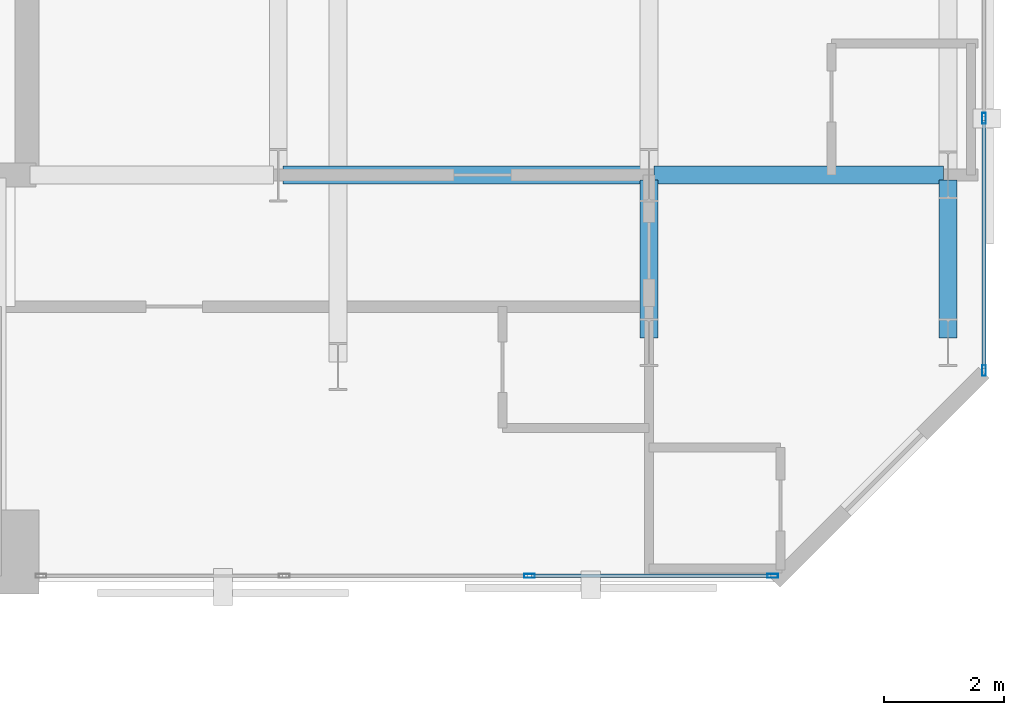
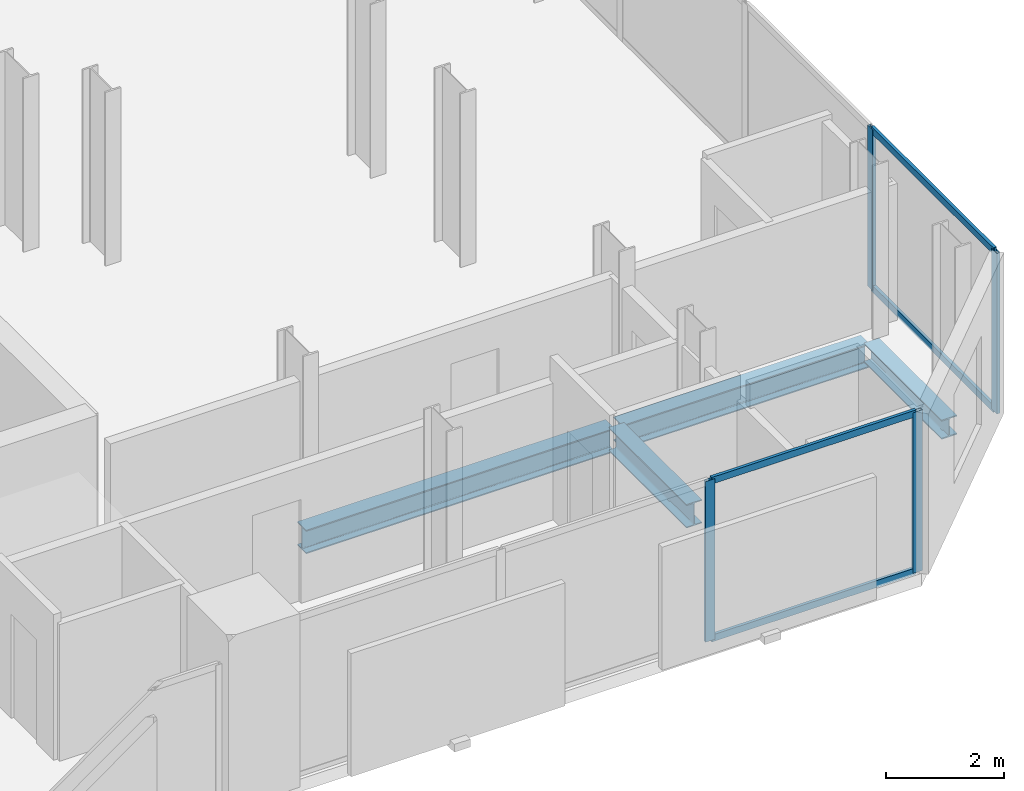
# One storey, part 16 of 32: 8 members, 4 beams, 2 elements without a shape of their own.
"""IFC4 building model written with IfcOpenShell, lengths in metres."""

from ifc_helpers import new_model, si_unit, direction, frame, origin, origin_2d, place, context, subcontext, project, spatial, hollow_rectangle, i_section, extrude, material, layer, layer_set, material_profile, profile_set, type_object, element, aggregate, save


model = new_model("IFC4")

# Units and contexts
model_context = context("Model", 3, precision=1e-05, world=origin(), true_north=direction((0.0, 1.0)))
body_context = subcontext(model_context, "Body", "Model", "MODEL_VIEW")
ifc_project = project(units=[si_unit("LENGTHUNIT", "METRE"), si_unit("AREAUNIT", "SQUARE_METRE"), si_unit("VOLUMEUNIT", "CUBIC_METRE"), si_unit("PLANEANGLEUNIT", "RADIAN"), si_unit("MASSUNIT", "GRAM", prefix="KILO")], contexts=[model_context])

# Site, building, storey
site_placement = place(None, origin())
site = spatial("IfcSite", under=ifc_project, at=site_placement, CompositionType="ELEMENT")
building_placement = place(site_placement, origin())
building = spatial("IfcBuilding", under=site, at=building_placement, Name="Catumbela Crestline Tower", CompositionType="ELEMENT")
storey_placement = place(building_placement, frame((0.0, 0.0, 69.0)))
storey = spatial("IfcBuildingStorey", under=building, at=storey_placement, Name="L17", CompositionType="ELEMENT", Elevation=69.0)

# Beams
ifc_material_1 = material(Name="Structural steel S355J2", Category="steel")
ifc_material_profile_1 = material_profile(ifc_material_1, i_section(OverallWidth=0.3, OverallDepth=0.49, WebThickness=0.012, FlangeThickness=0.023, FilletRadius=0.027, at=origin_2d()), Name="HEA 500")
ifc_profile_set_1 = profile_set([ifc_material_profile_1], Name="Structural steel S355J2")
beam_type_1 = type_object("IfcBeamType", Name="BG-HEA500", PredefinedType="BEAM", material=ifc_profile_set_1)
beam_1_placement = place(storey_placement, frame((44.28, 30.8, -0.505), z_axis=(1.0, 0.0, 0.0), x_axis=(0.0, 1.0, 0.0)))
element("IfcBeam", 1, at=beam_1_placement, inside=storey, type_object=beam_type_1, Name="L17 Beam BM-L17-M11", PredefinedType="BEAM", context=body_context, shape_type="SweptSolid", body=[
    extrude(i_section(OverallWidth=0.3, OverallDepth=0.49, WebThickness=0.012, FlangeThickness=0.023, FilletRadius=0.027, at=origin_2d()), origin(), (0.0, 0.0, 1.0), 6.04),
])
beam_2_placement = place(storey_placement, frame((50.48, 30.8, -0.505), z_axis=(1.0, 0.0, 0.0), x_axis=(0.0, 1.0, 0.0)))
element("IfcBeam", 2, at=beam_2_placement, inside=storey, type_object=beam_type_1, Name="L17 Beam BM-L17-M12", PredefinedType="BEAM", context=body_context, shape_type="SweptSolid", body=[
    extrude(i_section(OverallWidth=0.3, OverallDepth=0.49, WebThickness=0.012, FlangeThickness=0.023, FilletRadius=0.027, at=origin_2d()), origin(), (0.0, 0.0, 1.0), 4.84),
])
beam_3_placement = place(storey_placement, frame((50.4, 28.08, -0.505), z_axis=(0.0, 1.0, 0.0), x_axis=(-1.0, 0.0, 0.0)))
element("IfcBeam", 3, at=beam_3_placement, inside=storey, type_object=beam_type_1, Name="L17 Beam BM-L17-SN37", PredefinedType="BEAM", context=body_context, shape_type="SweptSolid", body=[
    extrude(i_section(OverallWidth=0.3, OverallDepth=0.49, WebThickness=0.012, FlangeThickness=0.023, FilletRadius=0.027, at=origin_2d()), origin(), (0.0, 0.0, 1.0), 2.64),
])

# Curtain wall, members
ifc_material_2 = material(Name="Aluminium alloy AW-6060-T66", Category="aluminium")
ifc_layer = layer(ifc_material_2, 0.18, Name="Aluminium alloy AW-6060-T66")
ifc_layer_set = layer_set([ifc_layer], Name="Aluminium alloy AW-6060-T66")
curtain_wall_type = type_object("IfcCurtainWallType", Name="CWU-Z1", PredefinedType="USERDEFINED", material=ifc_layer_set)
curtain_wall_1_placement = place(storey_placement, origin())
curtain_wall_1 = element("IfcCurtainWall", 4, at=curtain_wall_1_placement, inside=storey, type_object=curtain_wall_type, Name="L17 Unitised Curtain Wall CW-L17-E3S2", ObjectType="UNITISED", PredefinedType="USERDEFINED")
ifc_material_profile_2 = material_profile(ifc_material_2, hollow_rectangle(XDim=0.065, YDim=0.18, WallThickness=0.004, at=origin_2d()), Name="ALU 180x65x4")
ifc_profile_set_2 = profile_set([ifc_material_profile_2], Name="Aluminium alloy AW-6060-T66")
member_type_1 = type_object("IfcMemberType", Name="MUL-180X65", PredefinedType="MULLION", material=ifc_profile_set_2)
member_1_placement = place(storey_placement, frame((48.4, 24.1, 0.0), z_axis=(0.0, 0.0, 1.0), x_axis=(0.0, 1.0, 0.0)))
member_1 = element("IfcMember", 5, at=member_1_placement, type_object=member_type_1, Name="CWU-Z1 mullion 3", PredefinedType="MULLION", context=body_context, shape_type="SweptSolid", body=[
    extrude(hollow_rectangle(XDim=0.065, YDim=0.18, WallThickness=0.004, at=origin_2d()), origin(), (0.0, 0.0, 1.0), 3.33),
])
member_2_placement = place(storey_placement, frame((52.4675, 24.1, 0.0), z_axis=(0.0, 0.0, 1.0), x_axis=(0.0, 1.0, 0.0)))
member_2 = element("IfcMember", 6, at=member_2_placement, type_object=member_type_1, Name="CWU-Z1 mullion 4", PredefinedType="MULLION", context=body_context, shape_type="SweptSolid", body=[
    extrude(hollow_rectangle(XDim=0.065, YDim=0.18, WallThickness=0.004, at=origin_2d()), origin(), (0.0, 0.0, 1.0), 3.33),
])

curtain_wall_2_placement = place(storey_placement, origin())
curtain_wall_2 = element("IfcCurtainWall", 7, at=curtain_wall_2_placement, inside=storey, type_object=curtain_wall_type, Name="L17 Unitised Curtain Wall CW-L17-E5S1", ObjectType="UNITISED", PredefinedType="USERDEFINED")
member_3_placement = place(storey_placement, frame((56.0, 27.5325, 0.0), z_axis=(0.0, 0.0, 1.0), x_axis=(-1.0, 0.0, 0.0)))
member_3 = element("IfcMember", 8, at=member_3_placement, type_object=member_type_1, Name="CWU-Z1 mullion 1", PredefinedType="MULLION", context=body_context, shape_type="SweptSolid", body=[
    extrude(hollow_rectangle(XDim=0.065, YDim=0.18, WallThickness=0.004, at=origin_2d()), origin(), (0.0, 0.0, 1.0), 3.33),
])
member_4_placement = place(storey_placement, frame((56.0, 31.75, 0.0), z_axis=(0.0, 0.0, 1.0), x_axis=(-1.0, 0.0, 0.0)))
member_4 = element("IfcMember", 9, at=member_4_placement, type_object=member_type_1, Name="CWU-Z1 mullion 2", PredefinedType="MULLION", context=body_context, shape_type="SweptSolid", body=[
    extrude(hollow_rectangle(XDim=0.065, YDim=0.18, WallThickness=0.004, at=origin_2d()), origin(), (0.0, 0.0, 1.0), 3.33),
])

# Beam
ifc_material_profile_3 = material_profile(ifc_material_1, i_section(OverallWidth=0.3, OverallDepth=0.4, WebThickness=0.0135, FlangeThickness=0.024, FilletRadius=0.027, at=origin_2d()), Name="HEB 400")
ifc_profile_set_3 = profile_set([ifc_material_profile_3], Name="Structural steel S355J2")
beam_type_2 = type_object("IfcBeamType", Name="BS-HEB400", PredefinedType="SPANDREL", material=ifc_profile_set_3)
beam_4_placement = place(storey_placement, frame((55.4, 28.08, -0.46), z_axis=(0.0, 1.0, 0.0), x_axis=(-1.0, 0.0, 0.0)))
element("IfcBeam", 10, at=beam_4_placement, inside=storey, type_object=beam_type_2, Name="L17 Spandrel SP-L17-SN40", PredefinedType="SPANDREL", context=body_context, shape_type="SweptSolid", body=[
    extrude(i_section(OverallWidth=0.3, OverallDepth=0.4, WebThickness=0.0135, FlangeThickness=0.024, FilletRadius=0.027, at=origin_2d()), origin(), (0.0, 0.0, 1.0), 2.64),
])

# Member
ifc_material_profile_4 = material_profile(ifc_material_2, hollow_rectangle(XDim=0.06, YDim=0.14, WallThickness=0.004, at=origin_2d()), Name="ALU 140x60x4")
ifc_profile_set_4 = profile_set([ifc_material_profile_4], Name="Aluminium alloy AW-6060-T66")
member_type_2 = type_object("IfcMemberType", Name="TRN-140X60", PredefinedType="USERDEFINED", material=ifc_profile_set_4)
member_5_placement = place(storey_placement, frame((48.4325, 24.1, 0.03), z_axis=(1.0, 0.0, 0.0), x_axis=(0.0, 1.0, 0.0)))
member_5 = element("IfcMember", 11, at=member_5_placement, type_object=member_type_2, Name="CWU-Z1 transom 3.1", ObjectType="TRANSOM", PredefinedType="USERDEFINED", context=body_context, shape_type="SweptSolid", body=[
    extrude(hollow_rectangle(XDim=0.06, YDim=0.14, WallThickness=0.004, at=origin_2d()), origin(), (0.0, 0.0, 1.0), 4.0025),
])

member_6_placement = place(storey_placement, frame((48.4325, 24.1, 3.3), z_axis=(1.0, 0.0, 0.0), x_axis=(0.0, 1.0, 0.0)))
member_6 = element("IfcMember", 12, at=member_6_placement, type_object=member_type_2, Name="CWU-Z1 transom 3.2", ObjectType="TRANSOM", PredefinedType="USERDEFINED", context=body_context, shape_type="SweptSolid", body=[
    extrude(hollow_rectangle(XDim=0.06, YDim=0.14, WallThickness=0.004, at=origin_2d()), origin(), (0.0, 0.0, 1.0), 4.0025),
])

aggregate(curtain_wall_1, [member_1, member_2, member_5, member_6])

member_7_placement = place(storey_placement, frame((56.0, 27.565, 0.03), z_axis=(0.0, 1.0, 0.0), x_axis=(-1.0, 0.0, 0.0)))
member_7 = element("IfcMember", 13, at=member_7_placement, type_object=member_type_2, Name="CWU-Z1 transom 1.1", ObjectType="TRANSOM", PredefinedType="USERDEFINED", context=body_context, shape_type="SweptSolid", body=[
    extrude(hollow_rectangle(XDim=0.06, YDim=0.14, WallThickness=0.004, at=origin_2d()), origin(), (0.0, 0.0, 1.0), 4.1525),
])

member_8_placement = place(storey_placement, frame((56.0, 27.565, 3.3), z_axis=(0.0, 1.0, 0.0), x_axis=(-1.0, 0.0, 0.0)))
member_8 = element("IfcMember", 14, at=member_8_placement, type_object=member_type_2, Name="CWU-Z1 transom 1.2", ObjectType="TRANSOM", PredefinedType="USERDEFINED", context=body_context, shape_type="SweptSolid", body=[
    extrude(hollow_rectangle(XDim=0.06, YDim=0.14, WallThickness=0.004, at=origin_2d()), origin(), (0.0, 0.0, 1.0), 4.1525),
])

aggregate(curtain_wall_2, [member_3, member_4, member_7, member_8])

save(model, "model.ifc")
